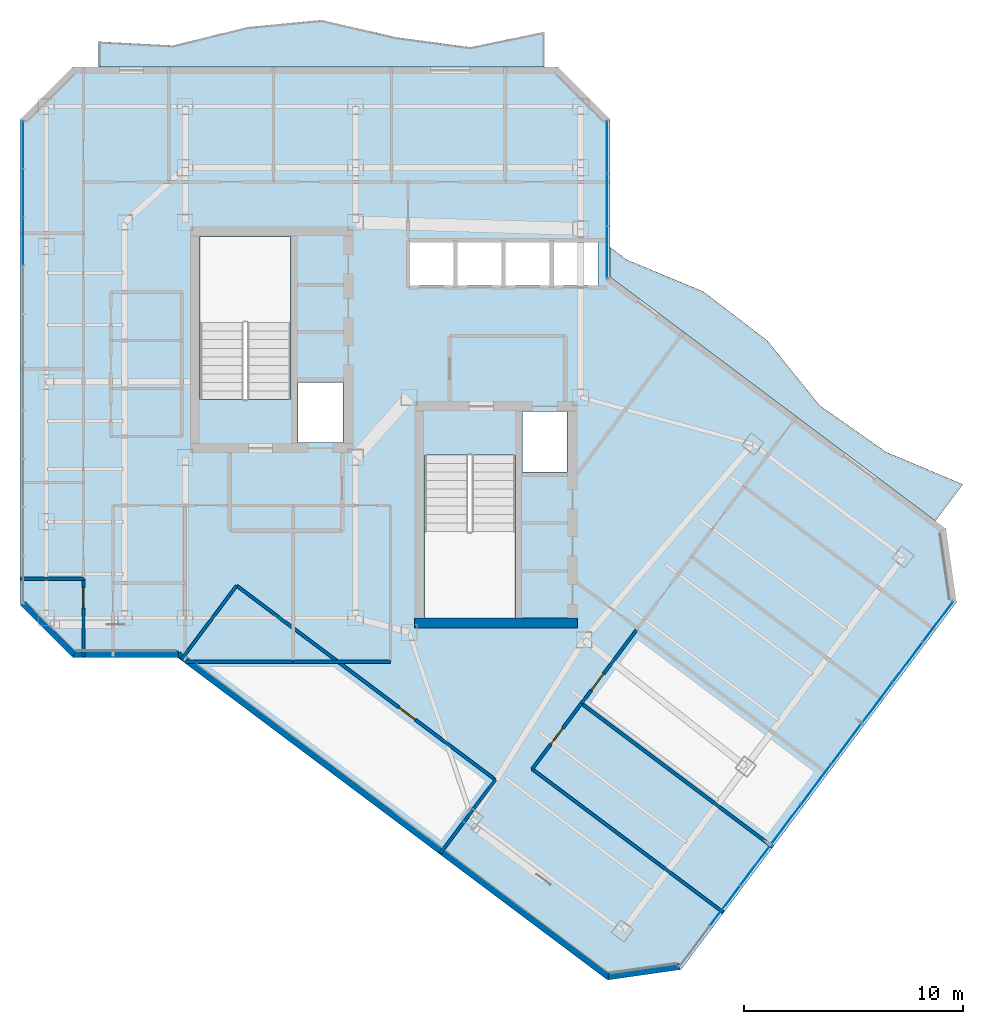
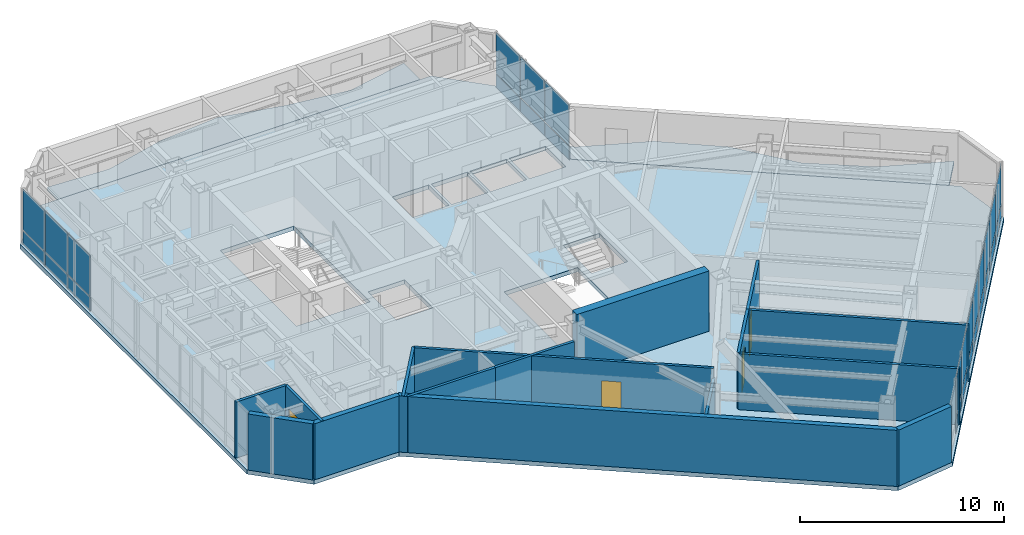
# One storey, part 19 of 26: 28 plates, 16 walls, 4 doors, 3 slabs, 4 openings, 3 elements without a shape of their own.
"""IFC4 building model written with IfcOpenShell, lengths in metres."""

import ifcopenshell
import ifcopenshell.guid

model = None  # the IFC model being written
_history = None  # IfcOwnerHistory: only IFC2X3 demands one
_inside = {}  # id of a spatial element -> (the spatial element, [elements in it])
_under = {}  # id of a project, library or spatial element -> (it, [spatial elements below it])
_declared = {}  # id of a project -> (the project, [libraries it declares])
_typed = {}  # id of a type object -> (the type object, [elements of that type])
_made_of = {}  # id of a material, layer set ... -> (it, [elements and type objects made of it])


def new_model(schema):
    """Start an empty IFC model of exactly this schema.

    Asked for "IFC4X3", IfcOpenShell would pick the latest addendum, in which some entities
    have other attributes; the version numbers below select the first issue.
    IFC2X3 requires an IfcOwnerHistory on every rooted entity: one is made here for all.
    """
    global model, _history
    if schema == "IFC4X3":
        model = ifcopenshell.file(schema_version=(4, 3, 0, 0))
    else:
        model = ifcopenshell.file(schema=schema)
    _inside.clear()
    _under.clear()
    _declared.clear()
    _typed.clear()
    _made_of.clear()
    _history = None
    if model.schema == "IFC2X3":
        org = make("IfcOrganization", Name="unknown")
        user = make(
            "IfcPersonAndOrganization",
            ThePerson=make("IfcPerson", FamilyName="unknown"),
            TheOrganization=org,
        )
        app = make(
            "IfcApplication",
            ApplicationDeveloper=org,
            Version="unknown",
            ApplicationFullName="unknown",
            ApplicationIdentifier="unknown",
        )
        _history = make(
            "IfcOwnerHistory",
            OwningUser=user,
            OwningApplication=app,
            ChangeAction="ADDED",
            CreationDate=0,
        )
    return model


def make(cls, **values):
    """One entity of the class cls with the attributes given. An attribute that is None is left unset."""
    return model.create_entity(
        cls, **{name: value for name, value in values.items() if value is not None}
    )


def rooted(cls, **values):
    """An entity with a GlobalId (a new one), such as an element, a storey or a relation."""
    return make(cls, GlobalId=ifcopenshell.guid.new(), OwnerHistory=_history, **values)


def si_unit(unit_type, name, prefix=None):
    """IfcSIUnit, for example si_unit("LENGTHUNIT", "METRE", prefix="MILLI")."""
    return make("IfcSIUnit", UnitType=unit_type, Prefix=prefix, Name=name)


def assignment(units):
    """IfcUnitAssignment: the units of a project."""
    return None if units is None else make("IfcUnitAssignment", Units=units)


def point(xyz):
    """IfcCartesianPoint."""
    return None if xyz is None else make("IfcCartesianPoint", Coordinates=xyz)


def direction(xyz):
    """IfcDirection."""
    return None if xyz is None else make("IfcDirection", DirectionRatios=xyz)


def frame(location, z_axis=None, x_axis=None):
    """IfcAxis2Placement3D, a coordinate frame: its origin and axes. An axis left out is left unset."""
    return make(
        "IfcAxis2Placement3D",
        Location=point(location),
        Axis=direction(z_axis),
        RefDirection=direction(x_axis),
    )


def frame_2d(location, x_axis=None):
    """IfcAxis2Placement2D, a coordinate frame in the plane: its origin and x axis."""
    return make(
        "IfcAxis2Placement2D", Location=point(location), RefDirection=direction(x_axis)
    )


def origin():
    """The frame at (0, 0, 0) with its axes left unset."""
    return frame((0.0, 0.0, 0.0))


def origin_2d():
    """The frame at (0, 0) in the plane with its x axis left unset."""
    return frame_2d((0.0, 0.0))


def place(relative_to, where):
    """IfcLocalPlacement: puts the frame where relative to a parent placement (None: the world)."""
    return make(
        "IfcLocalPlacement", PlacementRelTo=relative_to, RelativePlacement=where
    )


def context(
    kind, dimensions, precision=None, world=None, true_north=None, identifier=None
):
    """IfcGeometricRepresentationContext, for example the 3D "Model" context."""
    return make(
        "IfcGeometricRepresentationContext",
        ContextIdentifier=identifier,
        ContextType=kind,
        CoordinateSpaceDimension=dimensions,
        Precision=precision,
        WorldCoordinateSystem=world,
        TrueNorth=true_north,
    )


def subcontext(parent, identifier, kind, view, scale=None):
    """IfcGeometricRepresentationSubContext, for example "Body" below "Model"."""
    return make(
        "IfcGeometricRepresentationSubContext",
        ContextIdentifier=identifier,
        ContextType=kind,
        ParentContext=parent,
        TargetScale=scale,
        TargetView=view,
    )


def project(units=None, contexts=None):
    """IfcProject with its units and contexts."""
    return rooted(
        "IfcProject",
        Name="project",
        RepresentationContexts=contexts,
        UnitsInContext=assignment(units),
    )


def spatial(cls, under=None, at=None, **own):
    """A site, building, storey or space (cls), placed at a placement, below another one or the project."""
    s = rooted(cls, ObjectPlacement=at, **own)
    if under is not None:
        _under.setdefault(under.id(), (under, []))[1].append(s)
    return s


def polyline(points):
    """IfcPolyline through the points."""
    return make("IfcPolyline", Points=[point(p) for p in points])


def profile(cls, at=None, kind="AREA", **sizes):
    """A parametric profile (cls). Its sizes go by their IFC names, for example OverallWidth=200.0."""
    return make(cls, ProfileType=kind, Position=at, **sizes)


def rectangle(**sizes):
    """IfcRectangleProfileDef."""
    return profile("IfcRectangleProfileDef", **sizes)


def outline(outer, holes=None, kind="AREA"):
    """IfcArbitraryClosedProfileDef: a profile drawn as a closed curve; with holes, ...WithVoids."""
    if holes is None:
        return make("IfcArbitraryClosedProfileDef", ProfileType=kind, OuterCurve=outer)
    return make(
        "IfcArbitraryProfileDefWithVoids",
        ProfileType=kind,
        OuterCurve=outer,
        InnerCurves=holes,
    )


def extrude(swept, where, along, depth):
    """IfcExtrudedAreaSolid: the profile swept, set in the frame where, extruded along a direction by depth."""
    return make(
        "IfcExtrudedAreaSolid",
        SweptArea=swept,
        Position=where,
        ExtrudedDirection=direction(along),
        Depth=depth,
    )


def shape(context_of_items, identifier, shape_type, items):
    """IfcShapeRepresentation: the items that make up one representation, for example the "Body"."""
    return make(
        "IfcShapeRepresentation",
        ContextOfItems=context_of_items,
        RepresentationIdentifier=identifier,
        RepresentationType=shape_type,
        Items=items,
    )


def material(Name=None, Category=None):
    """IfcMaterial."""
    return make("IfcMaterial", Name=Name, Category=Category)


def layer(
    of_material, thickness, ventilated=None, Name=None, Category=None, Priority=None
):
    """IfcMaterialLayer: one layer of a wall or slab, of a material (None: an air gap)."""
    return make(
        "IfcMaterialLayer",
        Material=of_material,
        LayerThickness=thickness,
        IsVentilated=ventilated,
        Name=Name,
        Category=Category,
        Priority=Priority,
    )


def layer_set(layers, Name=None):
    """IfcMaterialLayerSet."""
    return make("IfcMaterialLayerSet", MaterialLayers=layers, LayerSetName=Name)


def made_of(thing, what):
    """Note that an element or type object is made of a material, layer set ...; save() writes the relation."""
    if what is not None:
        _made_of.setdefault(what.id(), (what, []))[1].append(thing)
    return thing


def type_object(cls, material=None, **own):
    """A type object (cls), such as IfcWallType, which elements share."""
    return made_of(rooted(cls, **own), material)


def element(
    cls,
    number,
    at=None,
    inside=None,
    cuts=None,
    type_object=None,
    material=None,
    context=None,
    identifier="Body",
    shape_type=None,
    held_by="IfcProductDefinitionShape",
    body=None,
    shapes=None,
    **own,
):
    """One element of the class cls, such as IfcWall. Its Tag is "e" and its number.

    at: its placement. inside: the storey or other place that contains it. cuts: it is an
    opening in that element (IfcRelVoidsElement). A single representation is given by context,
    identifier, shape_type and body (its items); several are given by shapes. held_by: the class
    of the entity that holds the representations. save() writes the other relations.
    """
    e = rooted(cls, Tag="e%d" % number, ObjectPlacement=at, **own)
    if body is not None:
        shapes = [shape(context, identifier, shape_type, body)]
    if shapes is not None:
        e.Representation = make(held_by, Representations=shapes)
    if inside is not None:
        _inside.setdefault(inside.id(), (inside, []))[1].append(e)
    if cuts is not None:
        rooted(
            "IfcRelVoidsElement", RelatingBuildingElement=cuts, RelatedOpeningElement=e
        )
    if type_object is not None:
        _typed.setdefault(type_object.id(), (type_object, []))[1].append(e)
    return made_of(e, material)


def fill(opening, filler):
    """IfcRelFillsElement: the door or window that sits in an opening."""
    return rooted(
        "IfcRelFillsElement",
        RelatingOpeningElement=opening,
        RelatedBuildingElement=filler,
    )


def aggregate(whole, parts):
    """IfcRelAggregates: a whole, such as a stair, and the parts it consists of."""
    return rooted("IfcRelAggregates", RelatingObject=whole, RelatedObjects=parts)


def save(model, path):
    """Write the relations noted so far, then the file.

    IfcRelAggregates (storeys below a building ...), IfcRelContainedInSpatialStructure (elements
    in a storey), IfcRelDefinesByType, IfcRelAssociatesMaterial and IfcRelDeclares: one each for
    every whole, place, type object, material and project.
    """
    for whole, parts in _under.values():
        aggregate(whole, parts)
    for where, things in _inside.values():
        rooted(
            "IfcRelContainedInSpatialStructure",
            RelatedElements=things,
            RelatingStructure=where,
        )
    for kind, things in _typed.values():
        rooted("IfcRelDefinesByType", RelatedObjects=things, RelatingType=kind)
    for what, things in _made_of.values():
        rooted("IfcRelAssociatesMaterial", RelatedObjects=things, RelatingMaterial=what)
    for by, libraries in _declared.values():
        rooted("IfcRelDeclares", RelatingContext=by, RelatedDefinitions=libraries)
    model.write(path)


model = new_model("IFC4")

# Units and contexts
model_context = context("Model", 3, precision=1e-05, world=origin(), true_north=direction((0.0, 1.0)))
body_context = subcontext(model_context, "Body", "Model", "MODEL_VIEW")
ifc_project = project(units=[si_unit("LENGTHUNIT", "METRE"), si_unit("AREAUNIT", "SQUARE_METRE"), si_unit("VOLUMEUNIT", "CUBIC_METRE"), si_unit("PLANEANGLEUNIT", "RADIAN"), si_unit("MASSUNIT", "GRAM", prefix="KILO")], contexts=[model_context])

# Site, building, storey
site_placement = place(None, origin())
site = spatial("IfcSite", under=ifc_project, at=site_placement, CompositionType="ELEMENT")
building_placement = place(site_placement, origin())
building = spatial("IfcBuilding", under=site, at=building_placement, Name="Hatsunagi Terrace Concourse", CompositionType="ELEMENT")
storey_placement = place(building_placement, frame((0.0, 0.0, 195.14990234375)))
storey = spatial("IfcBuildingStorey", under=building, at=storey_placement, Name="L51", CompositionType="ELEMENT", Elevation=195.14990234375)

# Curtain wall, plates
ifc_material_1 = material(Name="Anodised Aluminium Alloy 6063-T5", Category="aluminium")
ifc_layer_1 = layer(ifc_material_1, 0.199951171875)
ifc_layer_set_1 = layer_set([ifc_layer_1], Name="OfficeZone2_CW04")
curtain_wall_type = type_object("IfcCurtainWallType", Name="OfficeZone2_CW04", PredefinedType="NOTDEFINED", material=ifc_layer_set_1)
curtain_wall_1_placement = place(storey_placement, origin())
curtain_wall_1 = element("IfcCurtainWall", 1, at=curtain_wall_1_placement, inside=storey, type_object=curtain_wall_type, Name="Unitised Curtain Wall CW-04 CW-L51-03", PredefinedType="NOTDEFINED")
ifc_material_2 = material(Name="Warm Terracotta Ceramic Spandrel Panel", Category="masonry")
ifc_layer_2 = layer(ifc_material_2, 0.031982421875)
ifc_layer_set_2 = layer_set([ifc_layer_2], Name="CurtainWallSpandrelPanel_32")
plate_type_1 = type_object("IfcPlateType", Name="CurtainWallSpandrelPanel_32", PredefinedType="SHEET", material=ifc_layer_set_2)
plate_1_placement = place(storey_placement, frame((59.9970703125, 25.030029296875, 0.030029296875), z_axis=(0.0, 0.0, 1.0), x_axis=(-0.599969314634, -0.800023013105, 0.0)))
plate_1 = element("IfcPlate", 2, at=plate_1_placement, type_object=plate_type_1, Name="Terracotta Spandrel Panel SPN-01", PredefinedType="SHEET", context=body_context, shape_type="SweptSolid", body=[
    extrude(rectangle(XDim=2.264892578125, YDim=0.031982421875, at=origin_2d()), origin(), (0.0, 0.0, 1.0), 0.7900390625),
])
plate_2_placement = place(storey_placement, frame((58.60498046875, 23.173095703125, 0.030029296875), z_axis=(0.0, 0.0, 1.0), x_axis=(-0.599969314634, -0.800023013105, 0.0)))
plate_2 = element("IfcPlate", 3, at=plate_2_placement, type_object=plate_type_1, Name="Terracotta Spandrel Panel SPN-01", PredefinedType="SHEET", context=body_context, shape_type="SweptSolid", body=[
    extrude(rectangle(XDim=2.264892578125, YDim=0.031982421875, at=origin_2d()), origin(), (0.0, 0.0, 1.0), 0.7900390625),
])
plate_3_placement = place(storey_placement, frame((57.2119140625, 21.31689453125, 0.030029296875), z_axis=(0.0, 0.0, 1.0), x_axis=(-0.599969314634, -0.800023013105, 0.0)))
plate_3 = element("IfcPlate", 4, at=plate_3_placement, type_object=plate_type_1, Name="Terracotta Spandrel Panel SPN-01", PredefinedType="SHEET", context=body_context, shape_type="SweptSolid", body=[
    extrude(rectangle(XDim=2.264892578125, YDim=0.031982421875, at=origin_2d()), origin(), (0.0, 0.0, 1.0), 0.7900390625),
])
plate_4_placement = place(storey_placement, frame((55.820068359375, 19.4599609375, 0.030029296875), z_axis=(0.0, 0.0, 1.0), x_axis=(-0.599969314634, -0.800023013105, 0.0)))
plate_4 = element("IfcPlate", 5, at=plate_4_placement, type_object=plate_type_1, Name="Terracotta Spandrel Panel SPN-01", PredefinedType="SHEET", context=body_context, shape_type="SweptSolid", body=[
    extrude(rectangle(XDim=2.264892578125, YDim=0.031982421875, at=origin_2d()), origin(), (0.0, 0.0, 1.0), 0.7900390625),
])
plate_5_placement = place(storey_placement, frame((54.427978515625, 17.60400390625, 0.030029296875), z_axis=(0.0, 0.0, 1.0), x_axis=(-0.599969314634, -0.800023013105, 0.0)))
plate_5 = element("IfcPlate", 6, at=plate_5_placement, type_object=plate_type_1, Name="Terracotta Spandrel Panel SPN-01", PredefinedType="SHEET", context=body_context, shape_type="SweptSolid", body=[
    extrude(rectangle(XDim=2.264892578125, YDim=0.031982421875, at=origin_2d()), origin(), (0.0, 0.0, 1.0), 0.7900390625),
])
plate_6_placement = place(storey_placement, frame((53.035888671875, 15.748046875, 0.030029296875), z_axis=(0.0, 0.0, 1.0), x_axis=(-0.599969314634, -0.800023013105, 0.0)))
plate_6 = element("IfcPlate", 7, at=plate_6_placement, type_object=plate_type_1, Name="Terracotta Spandrel Panel SPN-01", PredefinedType="SHEET", context=body_context, shape_type="SweptSolid", body=[
    extrude(rectangle(XDim=2.264892578125, YDim=0.031982421875, at=origin_2d()), origin(), (0.0, 0.0, 1.0), 0.7900390625),
])
plate_7_placement = place(storey_placement, frame((51.64404296875, 13.89111328125, 0.030029296875), z_axis=(0.0, 0.0, 1.0), x_axis=(-0.599969314634, -0.800023013105, 0.0)))
plate_7 = element("IfcPlate", 8, at=plate_7_placement, type_object=plate_type_1, Name="Terracotta Spandrel Panel SPN-01", PredefinedType="SHEET", context=body_context, shape_type="SweptSolid", body=[
    extrude(rectangle(XDim=2.264892578125, YDim=0.031982421875, at=origin_2d()), origin(), (0.0, 0.0, 1.0), 0.7900390625),
])
plate_8_placement = place(storey_placement, frame((50.2509765625, 12.034912109375, 0.030029296875), z_axis=(0.0, 0.0, 1.0), x_axis=(-0.599969314634, -0.800023013105, 0.0)))
plate_8 = element("IfcPlate", 9, at=plate_8_placement, type_object=plate_type_1, Name="Terracotta Spandrel Panel SPN-01", PredefinedType="SHEET", context=body_context, shape_type="SweptSolid", body=[
    extrude(rectangle(XDim=2.264892578125, YDim=0.031982421875, at=origin_2d()), origin(), (0.0, 0.0, 1.0), 0.7900390625),
])

curtain_wall_2_placement = place(storey_placement, origin())
curtain_wall_2 = element("IfcCurtainWall", 10, at=curtain_wall_2_placement, inside=storey, type_object=curtain_wall_type, Name="Unitised Curtain Wall CW-04 CW-L51-08", PredefinedType="NOTDEFINED")
plate_9_placement = place(storey_placement, frame((18.139892578125, 42.4208984375, 0.030029296875), z_axis=(0.0, 0.0, 1.0), x_axis=(0.0, 1.0, 0.0)))
plate_9 = element("IfcPlate", 11, at=plate_9_placement, type_object=plate_type_1, Name="Terracotta Spandrel Panel SPN-01", PredefinedType="SHEET", context=body_context, shape_type="SweptSolid", body=[
    extrude(rectangle(XDim=2.153076171875, YDim=0.031982421875, at=origin_2d()), origin(), (0.0, 0.0, 1.0), 0.7900390625),
])
plate_10_placement = place(storey_placement, frame((18.139892578125, 44.62890625, 0.030029296875), z_axis=(0.0, 0.0, 1.0), x_axis=(0.0, 1.0, 0.0)))
plate_10 = element("IfcPlate", 12, at=plate_10_placement, type_object=plate_type_1, Name="Terracotta Spandrel Panel SPN-01", PredefinedType="SHEET", context=body_context, shape_type="SweptSolid", body=[
    extrude(rectangle(XDim=2.153076171875, YDim=0.031982421875, at=origin_2d()), origin(), (0.0, 0.0, 1.0), 0.7900390625),
])
plate_11_placement = place(storey_placement, frame((18.139892578125, 46.837890625, 0.030029296875), z_axis=(0.0, 0.0, 1.0), x_axis=(0.0, 1.0, 0.0)))
plate_11 = element("IfcPlate", 13, at=plate_11_placement, type_object=plate_type_1, Name="Terracotta Spandrel Panel SPN-01", PredefinedType="SHEET", context=body_context, shape_type="SweptSolid", body=[
    extrude(rectangle(XDim=2.153076171875, YDim=0.031982421875, at=origin_2d()), origin(), (0.0, 0.0, 1.0), 0.7900390625),
])

curtain_wall_3_placement = place(storey_placement, origin())
curtain_wall_3 = element("IfcCurtainWall", 14, at=curtain_wall_3_placement, inside=storey, type_object=curtain_wall_type, Name="Unitised Curtain Wall CW-04 CW-L51-12", PredefinedType="NOTDEFINED")
plate_12_placement = place(storey_placement, frame((44.860107421875, 46.739990234375, 0.030029296875), z_axis=(0.0, 0.0, 1.0), x_axis=(0.0, -1.0, 0.0)))
plate_12 = element("IfcPlate", 15, at=plate_12_placement, type_object=plate_type_1, Name="Terracotta Spandrel Panel SPN-01", PredefinedType="SHEET", context=body_context, shape_type="SweptSolid", body=[
    extrude(rectangle(XDim=2.34912109375, YDim=0.031982421875, at=origin_2d()), origin(), (0.0, 0.0, 1.0), 0.7900390625),
])
plate_13_placement = place(storey_placement, frame((44.860107421875, 44.3359375, 0.030029296875), z_axis=(0.0, 0.0, 1.0), x_axis=(0.0, -1.0, 0.0)))
plate_13 = element("IfcPlate", 16, at=plate_13_placement, type_object=plate_type_1, Name="Terracotta Spandrel Panel SPN-01", PredefinedType="SHEET", context=body_context, shape_type="SweptSolid", body=[
    extrude(rectangle(XDim=2.34912109375, YDim=0.031982421875, at=origin_2d()), origin(), (0.0, 0.0, 1.0), 0.7900390625),
])
plate_14_placement = place(storey_placement, frame((44.860107421875, 41.931884765625, 0.030029296875), z_axis=(0.0, 0.0, 1.0), x_axis=(0.0, -1.0, 0.0)))
plate_14 = element("IfcPlate", 17, at=plate_14_placement, type_object=plate_type_1, Name="Terracotta Spandrel Panel SPN-01", PredefinedType="SHEET", context=body_context, shape_type="SweptSolid", body=[
    extrude(rectangle(XDim=2.34912109375, YDim=0.031982421875, at=origin_2d()), origin(), (0.0, 0.0, 1.0), 0.7900390625),
])

# Plate
ifc_material_3 = material(Name="Low-E Double Insulating Glass 28mm", Category="glass")
ifc_layer_3 = layer(ifc_material_3, 0.028076171875)
ifc_layer_set_3 = layer_set([ifc_layer_3], Name="CurtainWallVisionGlass_28")
plate_type_2 = type_object("IfcPlateType", Name="CurtainWallVisionGlass_28", PredefinedType="CURTAIN_PANEL", material=ifc_layer_set_3)
plate_15_placement = place(storey_placement, frame((59.9970703125, 25.030029296875, 0.880126953125), z_axis=(0.0, 0.0, 1.0), x_axis=(-0.599969314634, -0.800023013105, 0.0)))
plate_15 = element("IfcPlate", 18, at=plate_15_placement, type_object=plate_type_2, Name="Low-E Vision Glass Panel GLZ-01", PredefinedType="CURTAIN_PANEL", context=body_context, shape_type="SweptSolid", body=[
    extrude(rectangle(XDim=2.264892578125, YDim=0.028076171875, at=origin_2d()), origin(), (0.0, 0.0, 1.0), 2.43994140625),
])

plate_16_placement = place(storey_placement, frame((58.60498046875, 23.173095703125, 0.880126953125), z_axis=(0.0, 0.0, 1.0), x_axis=(-0.599969314634, -0.800023013105, 0.0)))
plate_16 = element("IfcPlate", 19, at=plate_16_placement, type_object=plate_type_2, Name="Low-E Vision Glass Panel GLZ-01", PredefinedType="CURTAIN_PANEL", context=body_context, shape_type="SweptSolid", body=[
    extrude(rectangle(XDim=2.264892578125, YDim=0.028076171875, at=origin_2d()), origin(), (0.0, 0.0, 1.0), 2.43994140625),
])

plate_17_placement = place(storey_placement, frame((57.2119140625, 21.31689453125, 0.880126953125), z_axis=(0.0, 0.0, 1.0), x_axis=(-0.599969314634, -0.800023013105, 0.0)))
plate_17 = element("IfcPlate", 20, at=plate_17_placement, type_object=plate_type_2, Name="Low-E Vision Glass Panel GLZ-01", PredefinedType="CURTAIN_PANEL", context=body_context, shape_type="SweptSolid", body=[
    extrude(rectangle(XDim=2.264892578125, YDim=0.028076171875, at=origin_2d()), origin(), (0.0, 0.0, 1.0), 2.43994140625),
])

plate_18_placement = place(storey_placement, frame((55.820068359375, 19.4599609375, 0.880126953125), z_axis=(0.0, 0.0, 1.0), x_axis=(-0.599969314634, -0.800023013105, 0.0)))
plate_18 = element("IfcPlate", 21, at=plate_18_placement, type_object=plate_type_2, Name="Low-E Vision Glass Panel GLZ-01", PredefinedType="CURTAIN_PANEL", context=body_context, shape_type="SweptSolid", body=[
    extrude(rectangle(XDim=2.264892578125, YDim=0.028076171875, at=origin_2d()), origin(), (0.0, 0.0, 1.0), 2.43994140625),
])

plate_19_placement = place(storey_placement, frame((54.427978515625, 17.60400390625, 0.880126953125), z_axis=(0.0, 0.0, 1.0), x_axis=(-0.599969314634, -0.800023013105, 0.0)))
plate_19 = element("IfcPlate", 22, at=plate_19_placement, type_object=plate_type_2, Name="Low-E Vision Glass Panel GLZ-01", PredefinedType="CURTAIN_PANEL", context=body_context, shape_type="SweptSolid", body=[
    extrude(rectangle(XDim=2.264892578125, YDim=0.028076171875, at=origin_2d()), origin(), (0.0, 0.0, 1.0), 2.43994140625),
])

plate_20_placement = place(storey_placement, frame((53.035888671875, 15.748046875, 0.880126953125), z_axis=(0.0, 0.0, 1.0), x_axis=(-0.599969314634, -0.800023013105, 0.0)))
plate_20 = element("IfcPlate", 23, at=plate_20_placement, type_object=plate_type_2, Name="Low-E Vision Glass Panel GLZ-01", PredefinedType="CURTAIN_PANEL", context=body_context, shape_type="SweptSolid", body=[
    extrude(rectangle(XDim=2.264892578125, YDim=0.028076171875, at=origin_2d()), origin(), (0.0, 0.0, 1.0), 2.43994140625),
])

plate_21_placement = place(storey_placement, frame((51.64404296875, 13.89111328125, 0.880126953125), z_axis=(0.0, 0.0, 1.0), x_axis=(-0.599969314634, -0.800023013105, 0.0)))
plate_21 = element("IfcPlate", 24, at=plate_21_placement, type_object=plate_type_2, Name="Low-E Vision Glass Panel GLZ-01", PredefinedType="CURTAIN_PANEL", context=body_context, shape_type="SweptSolid", body=[
    extrude(rectangle(XDim=2.264892578125, YDim=0.028076171875, at=origin_2d()), origin(), (0.0, 0.0, 1.0), 2.43994140625),
])

plate_22_placement = place(storey_placement, frame((50.2509765625, 12.034912109375, 0.880126953125), z_axis=(0.0, 0.0, 1.0), x_axis=(-0.599969314634, -0.800023013105, 0.0)))
plate_22 = element("IfcPlate", 25, at=plate_22_placement, type_object=plate_type_2, Name="Low-E Vision Glass Panel GLZ-01", PredefinedType="CURTAIN_PANEL", context=body_context, shape_type="SweptSolid", body=[
    extrude(rectangle(XDim=2.264892578125, YDim=0.028076171875, at=origin_2d()), origin(), (0.0, 0.0, 1.0), 2.43994140625),
])

aggregate(curtain_wall_1, [plate_1, plate_15, plate_2, plate_16, plate_3, plate_17, plate_4, plate_18, plate_5, plate_19, plate_6, plate_20, plate_7, plate_21, plate_8, plate_22])

plate_23_placement = place(storey_placement, frame((18.139892578125, 42.4208984375, 0.880126953125), z_axis=(0.0, 0.0, 1.0), x_axis=(0.0, 1.0, 0.0)))
plate_23 = element("IfcPlate", 26, at=plate_23_placement, type_object=plate_type_2, Name="Low-E Vision Glass Panel GLZ-01", PredefinedType="CURTAIN_PANEL", context=body_context, shape_type="SweptSolid", body=[
    extrude(rectangle(XDim=2.153076171875, YDim=0.028076171875, at=origin_2d()), origin(), (0.0, 0.0, 1.0), 2.43994140625),
])

plate_24_placement = place(storey_placement, frame((18.139892578125, 44.62890625, 0.880126953125), z_axis=(0.0, 0.0, 1.0), x_axis=(0.0, 1.0, 0.0)))
plate_24 = element("IfcPlate", 27, at=plate_24_placement, type_object=plate_type_2, Name="Low-E Vision Glass Panel GLZ-01", PredefinedType="CURTAIN_PANEL", context=body_context, shape_type="SweptSolid", body=[
    extrude(rectangle(XDim=2.153076171875, YDim=0.028076171875, at=origin_2d()), origin(), (0.0, 0.0, 1.0), 2.43994140625),
])

plate_25_placement = place(storey_placement, frame((18.139892578125, 46.837890625, 0.880126953125), z_axis=(0.0, 0.0, 1.0), x_axis=(0.0, 1.0, 0.0)))
plate_25 = element("IfcPlate", 28, at=plate_25_placement, type_object=plate_type_2, Name="Low-E Vision Glass Panel GLZ-01", PredefinedType="CURTAIN_PANEL", context=body_context, shape_type="SweptSolid", body=[
    extrude(rectangle(XDim=2.153076171875, YDim=0.028076171875, at=origin_2d()), origin(), (0.0, 0.0, 1.0), 2.43994140625),
])

aggregate(curtain_wall_2, [plate_9, plate_23, plate_10, plate_24, plate_11, plate_25])

plate_26_placement = place(storey_placement, frame((44.860107421875, 46.739990234375, 0.880126953125), z_axis=(0.0, 0.0, 1.0), x_axis=(0.0, -1.0, 0.0)))
plate_26 = element("IfcPlate", 29, at=plate_26_placement, type_object=plate_type_2, Name="Low-E Vision Glass Panel GLZ-01", PredefinedType="CURTAIN_PANEL", context=body_context, shape_type="SweptSolid", body=[
    extrude(rectangle(XDim=2.34912109375, YDim=0.028076171875, at=origin_2d()), origin(), (0.0, 0.0, 1.0), 2.43994140625),
])

plate_27_placement = place(storey_placement, frame((44.860107421875, 44.3359375, 0.880126953125), z_axis=(0.0, 0.0, 1.0), x_axis=(0.0, -1.0, 0.0)))
plate_27 = element("IfcPlate", 30, at=plate_27_placement, type_object=plate_type_2, Name="Low-E Vision Glass Panel GLZ-01", PredefinedType="CURTAIN_PANEL", context=body_context, shape_type="SweptSolid", body=[
    extrude(rectangle(XDim=2.34912109375, YDim=0.028076171875, at=origin_2d()), origin(), (0.0, 0.0, 1.0), 2.43994140625),
])

plate_28_placement = place(storey_placement, frame((44.860107421875, 41.931884765625, 0.880126953125), z_axis=(0.0, 0.0, 1.0), x_axis=(0.0, -1.0, 0.0)))
plate_28 = element("IfcPlate", 31, at=plate_28_placement, type_object=plate_type_2, Name="Low-E Vision Glass Panel GLZ-01", PredefinedType="CURTAIN_PANEL", context=body_context, shape_type="SweptSolid", body=[
    extrude(rectangle(XDim=2.34912109375, YDim=0.028076171875, at=origin_2d()), origin(), (0.0, 0.0, 1.0), 2.43994140625),
])

aggregate(curtain_wall_3, [plate_12, plate_26, plate_13, plate_27, plate_14, plate_28])

# Slabs
ifc_material_4 = material(Name="Concrete Fc42", Category="concrete")
ifc_layer_4 = layer(ifc_material_4, 0.199951171875)
ifc_layer_set_4 = layer_set([ifc_layer_4], Name="EngawaBalconySlab_Fc42_200")
slab_type_1 = type_object("IfcSlabType", Name="EngawaBalconySlab_Fc42_200", PredefinedType="FLOOR", material=ifc_layer_set_4)
slab_1_placement = place(storey_placement, frame((0.0, 0.0, -0.199951171875)))
element("IfcSlab", 32, at=slab_1_placement, inside=storey, type_object=slab_type_1, Name="Engawa Balcony Slab BAL-L51-BN", PredefinedType="FLOOR", context=body_context, shape_type="SweptSolid", body=[
    extrude(outline(polyline([(21.60009765625, 51.568115234375), (21.60009765625, 50.39990234375), (42.0, 50.39990234375), (42.0, 52.01806640625), (38.60009765625, 51.31201171875), (35.199951171875, 51.77099609375), (31.800048828125, 52.556884765625), (28.39990234375, 52.235107421875), (25.0, 51.39306640625), (21.60009765625, 51.568115234375)])), origin(), (0.0, 0.0, 1.0), 0.199951171875),
])
slab_2_placement = place(storey_placement, frame((0.0, 0.0, -0.199951171875)))
element("IfcSlab", 33, at=slab_2_placement, inside=storey, type_object=slab_type_1, Name="Engawa Balcony Slab BAL-L51-BSE", PredefinedType="FLOOR", context=body_context, shape_type="SweptSolid", body=[
    extrude(outline(polyline([(45.72705078125, 41.60302734375), (44.99609375, 42.1650390625), (44.99609375, 40.802978515625), (59.8798828125, 29.639892578125), (61.133056640625, 31.31103515625), (57.617919921875, 32.791015625), (54.5869140625, 34.916015625), (52.18798828125, 37.885009765625), (49.2509765625, 40.134033203125), (45.72705078125, 41.60302734375)])), origin(), (0.0, 0.0, 1.0), 0.199951171875),
])
ifc_material_5 = material(Name="Concrete Fc42", Category="concrete")
ifc_layer_5 = layer(ifc_material_5, 0.25)
ifc_layer_set_5 = layer_set([ifc_layer_5], Name="OfficeCrownSlab_Fc42_250")
slab_type_2 = type_object("IfcSlabType", Name="OfficeCrownSlab_Fc42_250", PredefinedType="FLOOR", material=ifc_layer_set_5)
slab_3_placement = place(storey_placement, frame((0.0, 0.0, -0.25)))
element("IfcSlab", 34, at=slab_3_placement, inside=storey, type_object=slab_type_2, Name="Floor Slab SL-250 L51", PredefinedType="FLOOR", context=body_context, shape_type="SweptSolid", body=[
    extrude(outline(polyline([(45.0, 40.800048828125), (45.0, 48.0), (42.60009765625, 50.39990234375), (20.39990234375, 50.39990234375), (18.0, 48.0), (18.0, 25.800048828125), (20.39990234375, 23.39990234375), (25.199951171875, 23.39990234375), (44.8798828125, 8.639892578125), (48.239990234375, 9.1201171875), (60.840087890625, 25.919921875), (60.360107421875, 29.280029296875), (45.0, 40.800048828125)]), holes=[polyline([(26.22998046875, 35.205078125), (30.3798828125, 35.205078125), (30.3798828125, 42.659912109375), (26.22998046875, 42.659912109375), (26.22998046875, 35.205078125)]), polyline([(36.5, 25.199951171875), (40.64990234375, 25.199951171875), (40.64990234375, 32.655029296875), (36.5, 32.655029296875), (36.5, 25.199951171875)]), polyline([(30.719970703125, 33.219970703125), (32.780029296875, 33.219970703125), (32.780029296875, 35.97998046875), (30.719970703125, 35.97998046875), (30.719970703125, 33.219970703125)]), polyline([(40.97998046875, 31.8798828125), (43.02001953125, 31.8798828125), (43.02001953125, 34.639892578125), (40.97998046875, 34.639892578125), (40.97998046875, 31.8798828125)]), polyline([(35.800048828125, 40.39990234375), (37.85009765625, 40.39990234375), (37.85009765625, 42.39990234375), (35.800048828125, 42.39990234375), (35.800048828125, 40.39990234375)]), polyline([(38.0, 40.39990234375), (40.050048828125, 40.39990234375), (40.050048828125, 42.39990234375), (38.0, 42.39990234375), (38.0, 40.39990234375)]), polyline([(40.199951171875, 40.39990234375), (42.25, 40.39990234375), (42.25, 42.39990234375), (40.199951171875, 42.39990234375), (40.199951171875, 40.39990234375)]), polyline([(42.39990234375, 40.39990234375), (44.449951171875, 40.39990234375), (44.449951171875, 42.39990234375), (42.39990234375, 42.39990234375), (42.39990234375, 40.39990234375)])]), origin(), (0.0, 0.0, 1.0), 0.25),
])

# Walls
ifc_material_6 = material(Name="Concrete Fc42", Category="concrete")
ifc_layer_6 = layer(ifc_material_6, 0.449951171875)
ifc_layer_set_6 = layer_set([ifc_layer_6], Name="CoreShearWall_Fc42_450")
wall_type_1 = type_object("IfcWallType", Name="CoreShearWall_Fc42_450", PredefinedType="SHEAR", material=ifc_layer_set_6)
wall_1_placement = place(storey_placement, frame((36.0400390625, 24.965087890625, 0.0), z_axis=(0.0, 0.0, 1.0), x_axis=(1.0, 0.0, 0.0)))
element("IfcWall", 35, at=wall_1_placement, inside=storey, type_object=wall_type_1, Name="Core B Shear Wall S L51", PredefinedType="SHEAR", context=body_context, shape_type="SweptSolid", body=[
    extrude(rectangle(XDim=7.4599609375, YDim=0.449951171875, at=frame_2d((3.72998046875, 0.0))), origin(), (0.0, 0.0, 1.0), 3.60009765625),
])
ifc_material_7 = material(Name="Acoustic mineral board", Category="gypsum")
ifc_layer_7 = layer(ifc_material_7, 0.14990234375)
ifc_layer_set_7 = layer_set([ifc_layer_7], Name="PartitionWall_EI60_150")
wall_type_2 = type_object("IfcWallType", Name="PartitionWall_EI60_150", PredefinedType="PARTITIONING", material=ifc_layer_set_7)
wall_2_placement = place(storey_placement, frame((25.550048828125, 23.199951171875, 0.0), z_axis=(0.0, 0.0, 1.0), x_axis=(1.0, 0.0, 0.0)))
element("IfcWall", 36, at=wall_2_placement, inside=storey, type_object=wall_type_2, Name="Interior Partition IW-L51-027", PredefinedType="PARTITIONING", context=body_context, shape_type="SweptSolid", body=[
    extrude(rectangle(XDim=4.949951171875, YDim=0.14990234375, at=frame_2d((2.47509765625, 0.0))), origin(), (0.0, 0.0, 1.0), 3.35009765625),
])
wall_3_placement = place(storey_placement, frame((30.5, 23.199951171875, 0.0), z_axis=(0.0, 0.0, 1.0), x_axis=(1.0, 0.0, 0.0)))
element("IfcWall", 37, at=wall_3_placement, inside=storey, type_object=wall_type_2, Name="Interior Partition IW-L51-031", PredefinedType="PARTITIONING", context=body_context, shape_type="SweptSolid", body=[
    extrude(rectangle(XDim=4.449951171875, YDim=0.14990234375, at=frame_2d((2.22509765625, 0.0))), origin(), (0.0, 0.0, 1.0), 3.35009765625),
])
wall_4_placement = place(storey_placement, frame((18.0400390625, 27.0, 0.0), z_axis=(0.0, 0.0, 1.0), x_axis=(1.0, 0.0, 0.0)))
element("IfcWall", 38, at=wall_4_placement, inside=storey, type_object=wall_type_2, Name="Interior Partition IW-L51-034", PredefinedType="PARTITIONING", context=body_context, shape_type="SweptSolid", body=[
    extrude(rectangle(XDim=2.85986328125, YDim=0.14990234375, at=frame_2d((1.429931640625, 0.0))), origin(), (0.0, 0.0, 1.0), 3.35009765625),
])

# Wall, opening, door
wall_5_placement = place(storey_placement, frame((20.89990234375, 23.43994140625, 0.0), z_axis=(0.0, 0.0, 1.0), x_axis=(0.0, 1.0, 0.0)))
wall_5 = element("IfcWall", 39, at=wall_5_placement, inside=storey, type_object=wall_type_2, Name="Interior Partition IW-L51-035", PredefinedType="PARTITIONING", context=body_context, shape_type="SweptSolid", body=[
    extrude(rectangle(XDim=3.56005859375, YDim=0.14990234375, at=frame_2d((1.780029296875, 0.0))), origin(), (0.0, 0.0, 1.0), 3.35009765625),
])
opening_1_placement = place(wall_5_placement, frame((2.2109375, 0.0, 0.0)))
opening_1 = element("IfcOpeningElement", 40, at=opening_1_placement, cuts=wall_5, Name="Opening DR-095", PredefinedType="OPENING", context=body_context, shape_type="SweptSolid", body=[
    extrude(rectangle(XDim=0.949951171875, YDim=2.14990234375, at=frame_2d((0.47509765625, 1.074951171875))), frame((0.0, 0.0849609375, 0.0), z_axis=(0.0, -1.0, 0.0), x_axis=(1.0, 0.0, 0.0)), (0.0, 0.0, 1.0), 0.169921875),
])
ifc_material_8 = material(Name="Hardwood timber", Category="wood")
door_type = type_object("IfcDoorType", Name="InteriorSuiteDoor_EI30_950", OperationType="NOTDEFINED", PredefinedType="DOOR", material=ifc_material_8)
door_1_placement = place(opening_1_placement, origin())
door_1 = element("IfcDoor", 41, at=door_1_placement, inside=storey, type_object=door_type, Name="Focus Room L51-OW1 Door", OperationType="SINGLE_SWING_RIGHT", OverallHeight=2.14990234375, OverallWidth=0.949951171875, PredefinedType="DOOR", context=body_context, shape_type="SweptSolid", body=[
    extrude(rectangle(XDim=0.949951171875, YDim=2.14990234375, at=frame_2d((0.47509765625, 1.074951171875))), frame((0.0, 0.02490234375, 0.0), z_axis=(0.0, -1.0, 0.0), x_axis=(1.0, 0.0, 0.0)), (0.0, 0.0, 1.0), 0.050048828125),
])
fill(opening_1, door_1)

# Walls
for number, where, z_axis, x_axis, name in (
    (42, (41.429931640625, 18.2900390625, 0.0), (0.0, 0.0, 1.0), (0.799994629375, -0.600007160767, 0.0), "Interior Partition IW-L51-052"),
    (43, (43.679931640625, 21.2900390625, 0.0), (0.0, 0.0, 1.0), (0.799994629375, -0.600007160767, 0.0), "Interior Partition IW-L51-053"),
):
    element("IfcWall", number, at=place(storey_placement, frame(where, z_axis=z_axis, x_axis=x_axis)), inside=storey, type_object=wall_type_2, Name=name, PredefinedType="PARTITIONING", context=body_context, shape_type="SweptSolid", body=[
        extrude(rectangle(XDim=10.91015625, YDim=0.14990234375, at=frame_2d((5.455078125, 0.0))), origin(), (0.0, 0.0, 1.0), 3.35009765625),
    ])

# Wall, opening, door
wall_6_placement = place(storey_placement, frame((41.429931640625, 18.2900390625, 0.0), z_axis=(0.0, 0.0, 1.0), x_axis=(0.6, 0.8, 0.0)))
wall_6 = element("IfcWall", 44, at=wall_6_placement, inside=storey, type_object=wall_type_2, Name="Interior Partition IW-L51-054", PredefinedType="PARTITIONING", context=body_context, shape_type="SweptSolid", body=[
    extrude(rectangle(XDim=3.75, YDim=0.14990234375, at=frame_2d((1.875, 0.0))), origin(), (0.0, 0.0, 1.0), 3.35009765625),
])
opening_2_placement = place(wall_6_placement, frame((1.39990234375, 0.0, 0.0)))
opening_2 = element("IfcOpeningElement", 45, at=opening_2_placement, cuts=wall_6, Name="Opening DR-095", PredefinedType="OPENING", context=body_context, shape_type="SweptSolid", body=[
    extrude(rectangle(XDim=0.949951171875, YDim=2.14990234375, at=frame_2d((0.47509765625, 1.074951171875))), frame((0.0, 0.0849609375, 0.0), z_axis=(0.0, -1.0, 0.0), x_axis=(1.0, 0.0, 0.0)), (0.0, 0.0, 1.0), 0.169921875),
])
door_2_placement = place(opening_2_placement, origin())
door_2 = element("IfcDoor", 46, at=door_2_placement, inside=storey, type_object=door_type, Name="Focus Room L51-OSE1 Door", OperationType="SINGLE_SWING_RIGHT", OverallHeight=2.14990234375, OverallWidth=0.949951171875, PredefinedType="DOOR", context=body_context, shape_type="SweptSolid", body=[
    extrude(rectangle(XDim=0.949951171875, YDim=2.14990234375, at=frame_2d((0.47509765625, 1.074951171875))), frame((0.0, 0.02490234375, 0.0), z_axis=(0.0, -1.0, 0.0), x_axis=(1.0, 0.0, 0.0)), (0.0, 0.0, 1.0), 0.050048828125),
])
fill(opening_2, door_2)

wall_7_placement = place(storey_placement, frame((43.679931640625, 21.2900390625, 0.0), z_axis=(0.0, 0.0, 1.0), x_axis=(0.600018601461, 0.799986048566, 0.0)))
wall_7 = element("IfcWall", 47, at=wall_7_placement, inside=storey, type_object=wall_type_2, Name="Interior Partition IW-L51-056", PredefinedType="PARTITIONING", context=body_context, shape_type="SweptSolid", body=[
    extrude(rectangle(XDim=4.199951171875, YDim=0.14990234375, at=frame_2d((2.10009765625, 0.0))), origin(), (0.0, 0.0, 1.0), 3.35009765625),
])
opening_3_placement = place(wall_7_placement, frame((0.75390625, 0.0, 0.0)))
opening_3 = element("IfcOpeningElement", 48, at=opening_3_placement, cuts=wall_7, Name="Opening DR-095", PredefinedType="OPENING", context=body_context, shape_type="SweptSolid", body=[
    extrude(rectangle(XDim=0.949951171875, YDim=2.14990234375, at=frame_2d((0.47509765625, 1.074951171875))), frame((0.0, 0.0849609375, 0.0), z_axis=(0.0, -1.0, 0.0), x_axis=(1.0, 0.0, 0.0)), (0.0, 0.0, 1.0), 0.169921875),
])
door_3_placement = place(opening_3_placement, origin())
door_3 = element("IfcDoor", 49, at=door_3_placement, inside=storey, type_object=door_type, Name="Executive Office L51-OSE2 Door", OperationType="SINGLE_SWING_RIGHT", OverallHeight=2.14990234375, OverallWidth=0.949951171875, PredefinedType="DOOR", context=body_context, shape_type="SweptSolid", body=[
    extrude(rectangle(XDim=0.949951171875, YDim=2.14990234375, at=frame_2d((0.47509765625, 1.074951171875))), frame((0.0, 0.02490234375, 0.0), z_axis=(0.0, -1.0, 0.0), x_axis=(1.0, 0.0, 0.0)), (0.0, 0.0, 1.0), 0.050048828125),
])
fill(opening_3, door_3)

wall_8_placement = place(storey_placement, frame((27.909912109375, 26.679931640625, 0.0), z_axis=(0.0, 0.0, 1.0), x_axis=(0.800005938517, -0.599992081896, 0.0)))
wall_8 = element("IfcWall", 50, at=wall_8_placement, inside=storey, type_object=wall_type_2, Name="Interior Partition IW-L51-069", PredefinedType="PARTITIONING", context=body_context, shape_type="SweptSolid", body=[
    extrude(rectangle(XDim=14.800048828125, YDim=0.14990234375, at=frame_2d((7.39990234375, 0.0))), origin(), (0.0, 0.0, 1.0), 3.35009765625),
])
opening_4_placement = place(wall_8_placement, frame((9.281005859375, 0.0, 0.0)))
opening_4 = element("IfcOpeningElement", 51, at=opening_4_placement, cuts=wall_8, Name="Opening DR-095", PredefinedType="OPENING", context=body_context, shape_type="SweptSolid", body=[
    extrude(rectangle(XDim=0.949951171875, YDim=2.14990234375, at=frame_2d((0.47509765625, 1.074951171875))), frame((0.0, 0.0849609375, 0.0), z_axis=(0.0, -1.0, 0.0), x_axis=(1.0, 0.0, 0.0)), (0.0, 0.0, 1.0), 0.169921875),
])
door_4_placement = place(opening_4_placement, origin())
door_4 = element("IfcDoor", 52, at=door_4_placement, inside=storey, type_object=door_type, Name="Research Focus Suite L51-OSWS Door", OperationType="SINGLE_SWING_RIGHT", OverallHeight=2.14990234375, OverallWidth=0.949951171875, PredefinedType="DOOR", context=body_context, shape_type="SweptSolid", body=[
    extrude(rectangle(XDim=0.949951171875, YDim=2.14990234375, at=frame_2d((0.47509765625, 1.074951171875))), frame((0.0, 0.02490234375, 0.0), z_axis=(0.0, -1.0, 0.0), x_axis=(1.0, 0.0, 0.0)), (0.0, 0.0, 1.0), 0.050048828125),
])
fill(opening_4, door_4)

# Walls
wall_9_placement = place(storey_placement, frame((25.384033203125, 23.31201171875, 0.0), z_axis=(0.0, 0.0, 1.0), x_axis=(0.599990721155, 0.80000695905, 0.0)))
element("IfcWall", 53, at=wall_9_placement, inside=storey, type_object=wall_type_2, Name="Interior Partition IW-L51-070", PredefinedType="PARTITIONING", context=body_context, shape_type="SweptSolid", body=[
    extrude(rectangle(XDim=4.2099609375, YDim=0.14990234375, at=frame_2d((2.10498046875, 0.0))), origin(), (0.0, 0.0, 1.0), 3.35009765625),
])
wall_10_placement = place(storey_placement, frame((37.22412109375, 14.431884765625, 0.0), z_axis=(0.0, 0.0, 1.0), x_axis=(0.599962885857, 0.800027834262, 0.0)))
element("IfcWall", 54, at=wall_10_placement, inside=storey, type_object=wall_type_2, Name="Interior Partition IW-L51-071", PredefinedType="PARTITIONING", context=body_context, shape_type="SweptSolid", body=[
    extrude(rectangle(XDim=4.2099609375, YDim=0.14990234375, at=frame_2d((2.10498046875, 0.0))), origin(), (0.0, 0.0, 1.0), 2.757080078125),
])
ifc_material_9 = material(Name="Autoclaved Lightweight Concrete and Terracotta Cladding", Category="masonry")
ifc_layer_8 = layer(ifc_material_9, 0.280029296875)
ifc_layer_set_8 = layer_set([ifc_layer_8], Name="TerracottaSpandrelWall_280")
wall_type_3 = type_object("IfcWallType", Name="TerracottaSpandrelWall_280", PredefinedType="STANDARD", material=ifc_layer_set_8)
wall_11_placement = place(storey_placement, frame((48.1630859375, 9.25, 0.0), z_axis=(0.0, 0.0, 1.0), x_axis=(-0.989979263428, -0.141212810973, 0.0)))
element("IfcWall", 55, at=wall_11_placement, inside=storey, type_object=wall_type_3, Name="Exterior Spandrel Wall EW-L51-04", PredefinedType="STANDARD", context=body_context, shape_type="SweptSolid", body=[
    extrude(rectangle(XDim=3.278076171875, YDim=0.280029296875, at=frame_2d((1.63916015625, 0.0))), origin(), (0.0, 0.0, 1.0), 3.35009765625),
])
wall_12_placement = place(storey_placement, frame((44.91796875, 8.787109375, 0.0), z_axis=(0.0, 0.0, 1.0), x_axis=(-0.800004765927, 0.599993645378, 0.0)))
element("IfcWall", 56, at=wall_12_placement, inside=storey, type_object=wall_type_3, Name="Exterior Spandrel Wall EW-L51-05", PredefinedType="STANDARD", context=body_context, shape_type="SweptSolid", body=[
    extrude(rectangle(XDim=24.58837890625, YDim=0.280029296875, at=frame_2d((12.294189453125, 0.0))), origin(), (0.0, 0.0, 1.0), 3.35009765625),
])
wall_13_placement = place(storey_placement, frame((25.2470703125, 23.5400390625, 0.0), z_axis=(0.0, 0.0, 1.0), x_axis=(-1.0, 0.0, 0.0)))
element("IfcWall", 57, at=wall_13_placement, inside=storey, type_object=wall_type_3, Name="Exterior Spandrel Wall EW-L51-06", PredefinedType="STANDARD", context=body_context, shape_type="SweptSolid", body=[
    extrude(rectangle(XDim=4.7890625, YDim=0.280029296875, at=frame_2d((2.39453125, 0.0))), origin(), (0.0, 0.0, 1.0), 3.35009765625),
])
wall_14_placement = place(storey_placement, frame((20.4580078125, 23.5400390625, 0.0), z_axis=(0.0, 0.0, 1.0), x_axis=(-0.707144017911, 0.707069542501, 0.0)))
element("IfcWall", 58, at=wall_14_placement, inside=storey, type_object=wall_type_3, Name="Exterior Spandrel Wall EW-L51-07", PredefinedType="STANDARD", context=body_context, shape_type="SweptSolid", body=[
    extrude(rectangle(XDim=3.278076171875, YDim=0.280029296875, at=frame_2d((1.63916015625, 0.0))), origin(), (0.0, 0.0, 1.0), 3.35009765625),
])

save(model, "model.ifc")
